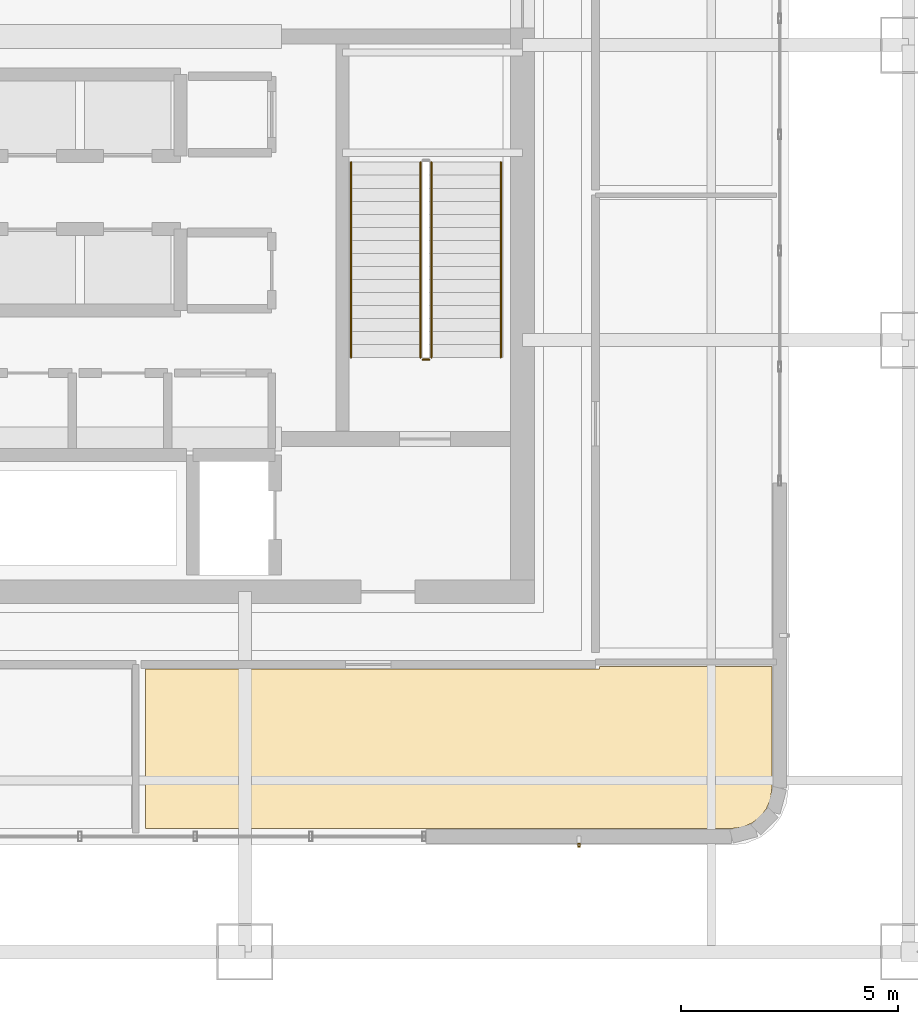
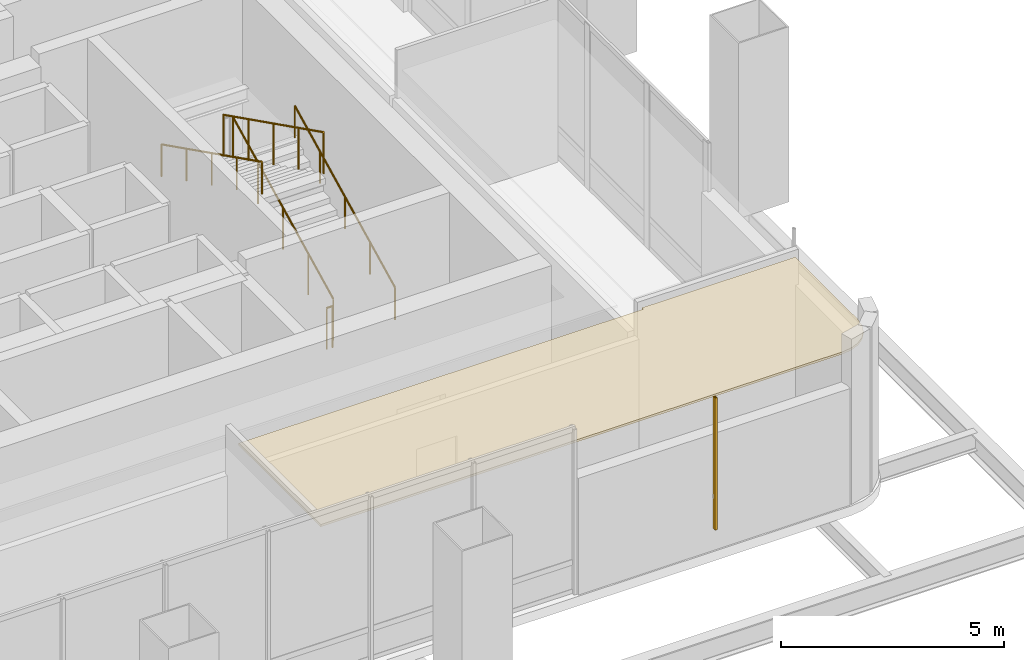
# One storey, part 25 of 33: 5 railings, 1 covering, 1 shading device.
"""IFC4 building model written with IfcOpenShell, lengths in metres."""

from ifc_helpers import new_model, si_unit, direction, frame, origin, origin_2d, place, context, subcontext, project, spatial, polyline, hollow_rectangle, circle, outline, extrude, material, layer, layer_set, material_profile, profile_set, type_object, element, save


model = new_model("IFC4")

# Units and contexts
model_context = context("Model", 3, precision=1e-05, world=origin(), true_north=direction((0.0, 1.0)))
body_context = subcontext(model_context, "Body", "Model", "MODEL_VIEW")
ifc_project = project(units=[si_unit("LENGTHUNIT", "METRE"), si_unit("AREAUNIT", "SQUARE_METRE"), si_unit("VOLUMEUNIT", "CUBIC_METRE"), si_unit("PLANEANGLEUNIT", "RADIAN"), si_unit("MASSUNIT", "GRAM", prefix="KILO")], contexts=[model_context])

# Site, building, storey
site_placement = place(None, origin())
site = spatial("IfcSite", under=ifc_project, at=site_placement, CompositionType="ELEMENT")
building_placement = place(site_placement, origin())
building = spatial("IfcBuilding", under=site, at=building_placement, Name="Punatoya Terracotta Tower", CompositionType="ELEMENT")
storey_placement = place(building_placement, frame((0.0, 0.0, 246.60009765625)))
storey = spatial("IfcBuildingStorey", under=building, at=storey_placement, Name="L58", CompositionType="ELEMENT", Elevation=246.60009765625)

# Covering
ifc_material_1 = material(Name="Acoustic Mineral Fibre Ceiling")
ifc_layer = layer(ifc_material_1, 0.06005859375)
ifc_layer_set = layer_set([ifc_layer], Name="Acoustic Mineral Fibre Ceiling")
covering_type = type_object("IfcCoveringType", Name="COV-CEIL-60", PredefinedType="CEILING", material=ifc_layer_set)
covering_placement = place(storey_placement, frame((0.0, 0.0, 3.929931640625)))
element("IfcCovering", 1, at=covering_placement, inside=storey, type_object=covering_type, Name="L58 Digital Reference Library Acoustic Ceiling", PredefinedType="CEILING", context=body_context, shape_type="SweptSolid", body=[
    extrude(outline(polyline([(11.97998046875, -10.97998046875), (1.506103515625, -10.97998046875), (1.506103515625, -14.659912109375), (15.005126953125, -14.659912109375), (15.267333984375, -14.62548828125), (15.48828125, -14.533935546875), (15.67822265625, -14.38818359375), (15.823974609375, -14.1982421875), (15.91552734375, -13.977294921875), (15.949951171875, -13.715087890625), (15.949951171875, -10.919921875), (11.97998046875, -10.919921875), (11.97998046875, -10.97998046875)])), origin(), (0.0, 0.0, 1.0), 0.06005859375),
])

# Railings
ifc_material_2 = material(Name="Steel S355", Category="steel")
railing_type_1 = type_object("IfcRailingType", Name="RLG-GRD-1150", PredefinedType="GUARDRAIL", material=ifc_material_2)
railing_1_placement = place(storey_placement, frame((8.10009765625, -3.800048828125, 0.14990234375)))
element("IfcRailing", 2, at=railing_1_placement, inside=storey, type_object=railing_type_1, Name="L58 ST-2 stair guard 1", PredefinedType="GUARDRAIL", context=body_context, shape_type="SweptSolid", body=[
    extrude(circle(Radius=0.02392578125, at=origin_2d()), frame((0.0, 0.0, 1.1259765625), z_axis=(0.0, 0.894427191, 0.4472135955), x_axis=(-1.0, 0.0, 0.0)), (0.0, 0.0, 1.0), 5.03125),
    extrude(circle(Radius=0.02099609375, at=origin_2d()), origin(), (0.0, 0.0, 1.0), 1.101806640625),
    extrude(circle(Radius=0.02099609375, at=origin_2d()), frame((0.0, 1.125, 0.5625)), (0.0, 0.0, 1.0), 1.101806640625),
    extrude(circle(Radius=0.02099609375, at=origin_2d()), frame((0.0, 2.25, 1.125)), (0.0, 0.0, 1.0), 1.101806640625),
    extrude(circle(Radius=0.02099609375, at=origin_2d()), frame((0.0, 3.375, 1.6875)), (0.0, 0.0, 1.0), 1.101806640625),
    extrude(circle(Radius=0.02099609375, at=origin_2d()), frame((0.0, 4.5, 2.25)), (0.0, 0.0, 1.0), 1.101806640625),
])
railing_2_placement = place(storey_placement, frame((7.85009765625, 0.699951171875, 2.5498046875)))
element("IfcRailing", 3, at=railing_2_placement, inside=storey, type_object=railing_type_1, Name="L58 ST-2 stair guard 3", PredefinedType="GUARDRAIL", context=body_context, shape_type="SweptSolid", body=[
    extrude(circle(Radius=0.02392578125, at=origin_2d()), frame((0.0, 0.0, 1.1259765625), z_axis=(0.0, -0.894427191, 0.4472135955), x_axis=(1.0, 0.0, 0.0)), (0.0, 0.0, 1.0), 5.03125),
    extrude(circle(Radius=0.02099609375, at=origin_2d()), origin(), (0.0, 0.0, 1.0), 1.101806640625),
    extrude(circle(Radius=0.02099609375, at=origin_2d()), frame((0.0, -1.125, 0.5625)), (0.0, 0.0, 1.0), 1.101806640625),
    extrude(circle(Radius=0.02099609375, at=origin_2d()), frame((0.0, -2.25, 1.125)), (0.0, 0.0, 1.0), 1.101806640625),
    extrude(circle(Radius=0.02099609375, at=origin_2d()), frame((0.0, -3.375, 1.6875)), (0.0, 0.0, 1.0), 1.101806640625),
    extrude(circle(Radius=0.02099609375, at=origin_2d()), frame((0.0, -4.5, 2.25)), (0.0, 0.0, 1.0), 1.101806640625),
])
railing_3_placement = place(storey_placement, frame((8.050048828125, -3.85009765625, 0.0)))
element("IfcRailing", 4, at=railing_3_placement, inside=storey, type_object=railing_type_1, Name="L58 ST-2 stair guard 4", PredefinedType="GUARDRAIL", context=body_context, shape_type="SweptSolid", body=[
    extrude(circle(Radius=0.02392578125, at=origin_2d()), frame((0.0, 0.0, 1.1259765625), z_axis=(-1.0, 0.0, 0.0), x_axis=(0.0, -1.0, 0.0)), (0.0, 0.0, 1.0), 0.150146484375),
    extrude(circle(Radius=0.02099609375, at=origin_2d()), origin(), (0.0, 0.0, 1.0), 1.101806640625),
    extrude(circle(Radius=0.02099609375, at=origin_2d()), frame((-0.150146484375, 0.0, 0.0)), (0.0, 0.0, 1.0), 1.101806640625),
])
railing_type_2 = type_object("IfcRailingType", Name="RLG-HND-900", PredefinedType="HANDRAIL", material=ifc_material_2)
railing_4_placement = place(storey_placement, frame((9.699951171875, -3.800048828125, 0.14990234375)))
element("IfcRailing", 5, at=railing_4_placement, inside=storey, type_object=railing_type_2, Name="L58 ST-2 stair handrail 1", PredefinedType="HANDRAIL", context=body_context, shape_type="SweptSolid", body=[
    extrude(circle(Radius=0.02392578125, at=origin_2d()), frame((0.0, 0.0, 0.8759765625), z_axis=(0.0, 0.894427191, 0.4472135955), x_axis=(-1.0, 0.0, 0.0)), (0.0, 0.0, 1.0), 5.03125),
    extrude(circle(Radius=0.02099609375, at=origin_2d()), origin(), (0.0, 0.0, 1.0), 0.851806640625),
    extrude(circle(Radius=0.02099609375, at=origin_2d()), frame((0.0, 1.125, 0.5625)), (0.0, 0.0, 1.0), 0.851806640625),
    extrude(circle(Radius=0.02099609375, at=origin_2d()), frame((0.0, 2.25, 1.125)), (0.0, 0.0, 1.0), 0.851806640625),
    extrude(circle(Radius=0.02099609375, at=origin_2d()), frame((0.0, 3.375, 1.6875)), (0.0, 0.0, 1.0), 0.851806640625),
    extrude(circle(Radius=0.02099609375, at=origin_2d()), frame((0.0, 4.5, 2.25)), (0.0, 0.0, 1.0), 0.851806640625),
])
railing_5_placement = place(storey_placement, frame((6.25, 0.699951171875, 2.5498046875)))
element("IfcRailing", 6, at=railing_5_placement, inside=storey, type_object=railing_type_2, Name="L58 ST-2 stair handrail 2", PredefinedType="HANDRAIL", context=body_context, shape_type="SweptSolid", body=[
    extrude(circle(Radius=0.02392578125, at=origin_2d()), frame((0.0, 0.0, 0.8759765625), z_axis=(0.0, -0.894427191, 0.4472135955), x_axis=(1.0, 0.0, 0.0)), (0.0, 0.0, 1.0), 5.03125),
    extrude(circle(Radius=0.02099609375, at=origin_2d()), origin(), (0.0, 0.0, 1.0), 0.851806640625),
    extrude(circle(Radius=0.02099609375, at=origin_2d()), frame((0.0, -1.125, 0.5625)), (0.0, 0.0, 1.0), 0.851806640625),
    extrude(circle(Radius=0.02099609375, at=origin_2d()), frame((0.0, -2.25, 1.125)), (0.0, 0.0, 1.0), 0.851806640625),
    extrude(circle(Radius=0.02099609375, at=origin_2d()), frame((0.0, -3.375, 1.6875)), (0.0, 0.0, 1.0), 0.851806640625),
    extrude(circle(Radius=0.02099609375, at=origin_2d()), frame((0.0, -4.5, 2.25)), (0.0, 0.0, 1.0), 0.851806640625),
])

# Shading device
ifc_material_3 = material(Name="Architectural Fired Terracotta", Category="masonry")
ifc_material_profile = material_profile(ifc_material_3, hollow_rectangle(XDim=0.06005859375, YDim=0.090087890625, WallThickness=0.013916015625, at=origin_2d()))
ifc_profile_set = profile_set([ifc_material_profile], Name="Architectural Fired Terracotta")
shading_device_type = type_object("IfcShadingDeviceType", Name="SHD-JALI-90", PredefinedType="JALOUSIE", material=ifc_profile_set)
shading_device_placement = place(storey_placement, frame((11.49853515625, -15.0400390625, 0.599853515625), z_axis=(0.0, 0.0, 1.0), x_axis=(1.0, 0.0, 0.0)))
element("IfcShadingDevice", 7, at=shading_device_placement, inside=storey, type_object=shading_device_type, Name="L58 Braced Bay Terracotta Jali Fin S2", PredefinedType="JALOUSIE", context=body_context, shape_type="SweptSolid", body=[
    extrude(hollow_rectangle(XDim=0.06005859375, YDim=0.090087890625, WallThickness=0.013916015625, at=origin_2d()), origin(), (0.0, 0.0, 1.0), 3.6201171875),
])

save(model, "model.ifc")
